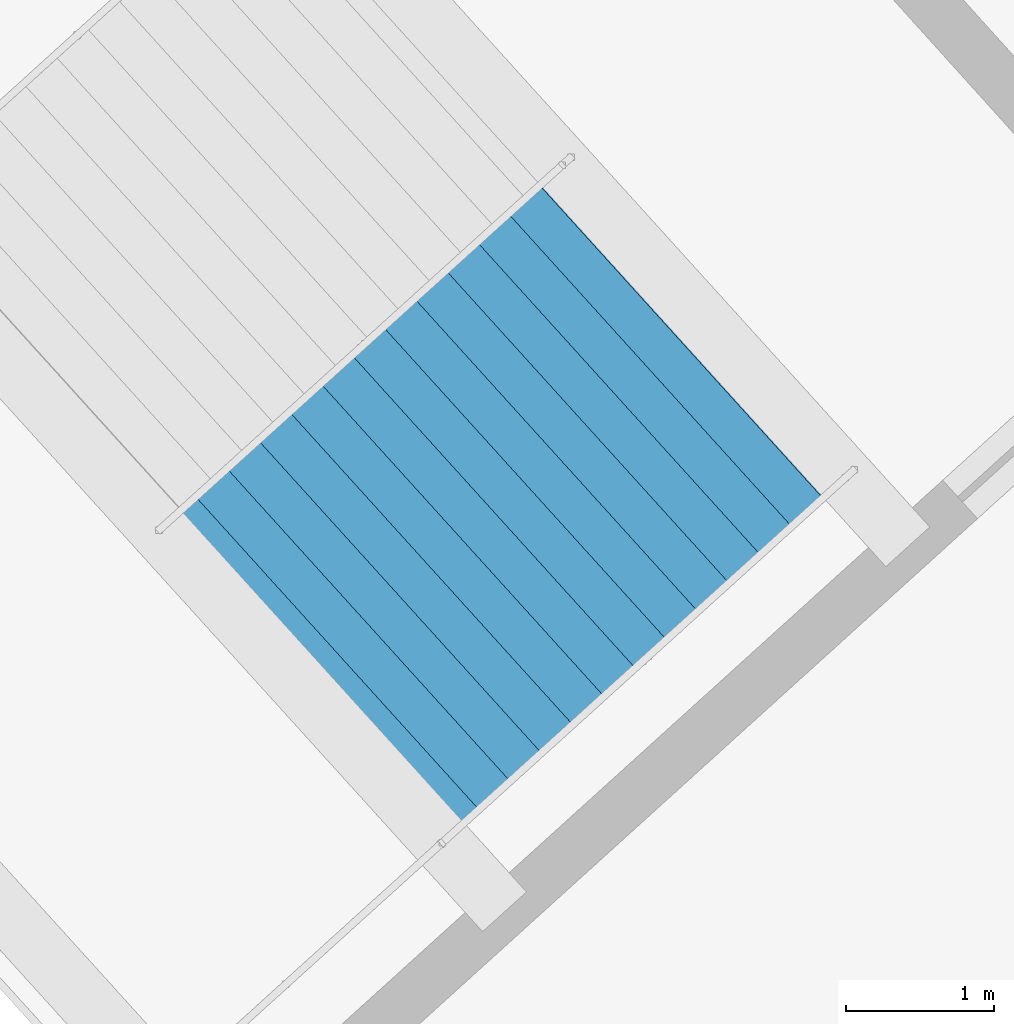
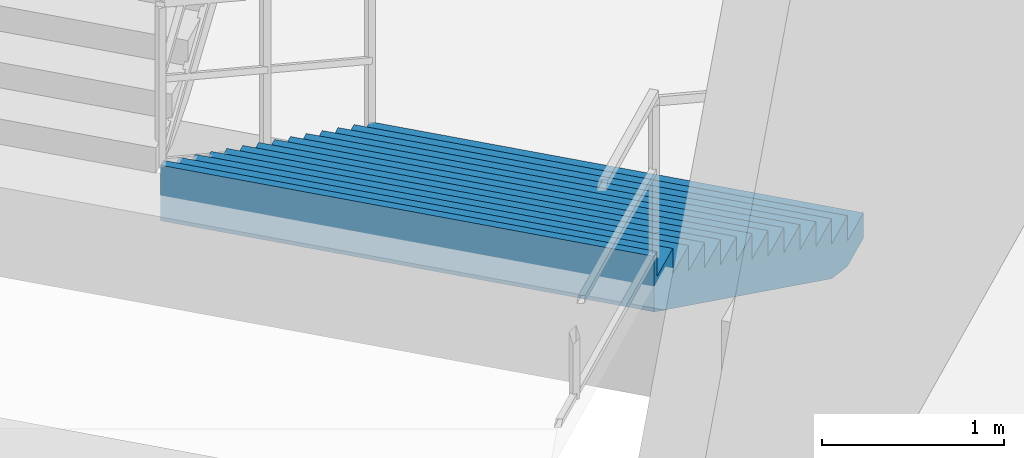
# One storey, part 134 of 156: 1 stair flight, 1 element without a shape of its own.
"""IFC4 building model written with IfcOpenShell, lengths in metres."""

from ifc_helpers import new_model, si_unit, direction, frame, origin, place, context, subcontext, project, spatial, polygons, material, type_object, element, aggregate, save


model = new_model("IFC4")

# Units and contexts
model_context = context("Model", 3, precision=1e-05, world=origin(), true_north=direction((0.0, 1.0)))
body_context = subcontext(model_context, "Body", "Model", "MODEL_VIEW")
ifc_project = project(units=[si_unit("LENGTHUNIT", "METRE"), si_unit("AREAUNIT", "SQUARE_METRE"), si_unit("VOLUMEUNIT", "CUBIC_METRE"), si_unit("PLANEANGLEUNIT", "RADIAN"), si_unit("MASSUNIT", "GRAM", prefix="KILO")], contexts=[model_context])

# Site, building, storey
site_placement = place(None, origin())
site = spatial("IfcSite", under=ifc_project, at=site_placement, CompositionType="ELEMENT")
building_placement = place(site_placement, origin())
building = spatial("IfcBuilding", under=site, at=building_placement, Name="Kazemori Nagisa Stadium", CompositionType="ELEMENT")
storey_placement = place(building_placement, frame((0.0, 0.0, 5.780029296875)))
storey = spatial("IfcBuildingStorey", under=building, at=storey_placement, Name="L01", CompositionType="ELEMENT", Elevation=5.780029296875)

# Stair, stair flight
ifc_material = material(Name="Concrete C36/45 (Fc36)", Category="concrete")
stair_type = type_object("IfcStairType", Name="Stair_CORE_28", PredefinedType="TWO_STRAIGHT_RUN_STAIR", material=ifc_material)
stair_placement = place(storey_placement, origin())
stair = element("IfcStair", 1, at=stair_placement, inside=storey, type_object=stair_type, Name="Exit stair ST02 L01", PredefinedType="TWO_STRAIGHT_RUN_STAIR")
stair_flight_type = type_object("IfcStairFlightType", Name="Flight_CORE_14", PredefinedType="STRAIGHT", material=ifc_material)
stair_flight_placement = place(storey_placement, frame((63.22412109375, 164.589599609375, 0.0), z_axis=(0.0, 0.0, 1.0), x_axis=(-0.741324991793, -0.671146225903, 0.0)))
stair_flight = element("IfcStairFlight", 2, at=stair_flight_placement, type_object=stair_flight_type, Name="Exit stair ST02 L01 flight 1", NumberOfRisers=14, NumberOfTreads=13, PredefinedType="STRAIGHT", RiserHeight=0.17, TreadLength=0.285, context=body_context, shape_type="Tessellation", body=[
    polygons([(0.0, -1.425048828125, 0.0), (0.0, -1.425048828125, 0.169921875), (0.284912109375, -1.425048828125, 0.169921875), (0.284912109375, -1.425048828125, 0.340087890625), (0.570068359375, -1.425048828125, 0.340087890625), (0.570068359375, -1.425048828125, 0.510009765625), (0.85498046875, -1.425048828125, 0.510009765625), (0.85498046875, -1.425048828125, 0.679931640625), (1.139892578125, -1.425048828125, 0.679931640625), (1.139892578125, -1.425048828125, 0.85009765625), (1.425048828125, -1.425048828125, 0.85009765625), (1.425048828125, -1.425048828125, 1.02001953125), (1.7099609375, -1.425048828125, 1.02001953125), (1.7099609375, -1.425048828125, 1.18994140625), (1.9951171875, -1.425048828125, 1.18994140625), (1.9951171875, -1.425048828125, 1.360107421875), (2.280029296875, -1.425048828125, 1.360107421875), (2.280029296875, -1.425048828125, 1.530029296875), (2.56494140625, -1.425048828125, 1.530029296875), (2.56494140625, -1.425048828125, 1.699951171875), (2.85009765625, -1.425048828125, 1.699951171875), (2.85009765625, -1.425048828125, 1.8701171875), (3.135009765625, -1.425048828125, 1.8701171875), (3.135009765625, -1.425048828125, 2.0400390625), (3.419921875, -1.425048828125, 2.0400390625), (3.419921875, -1.425048828125, 2.2099609375), (3.705078125, -1.425048828125, 2.2099609375), (3.705078125, -1.425048828125, 2.3798828125), (3.7548828125, -1.425048828125, 2.3798828125), (3.7548828125, -1.425048828125, 2.007080078125), (3.705078125, -1.425048828125, 1.977294921875), (3.419921875, -1.425048828125, 1.80712890625), (3.135009765625, -1.425048828125, 1.63720703125), (2.85009765625, -1.425048828125, 1.46728515625), (2.56494140625, -1.425048828125, 1.297119140625), (2.280029296875, -1.425048828125, 1.127197265625), (1.9951171875, -1.425048828125, 0.957275390625), (1.7099609375, -1.425048828125, 0.787109375), (1.425048828125, -1.425048828125, 0.6171875), (1.139892578125, -1.425048828125, 0.447265625), (0.85498046875, -1.425048828125, 0.277099609375), (0.570068359375, -1.425048828125, 0.107177734375), (0.284912109375, -1.425048828125, 0.0), (0.0, -0.08544921875, 0.0), (0.0, -0.08544921875, 0.169921875), (0.284912109375, -0.08544921875, 0.169921875), (0.284912109375, -0.08544921875, 0.340087890625), (0.570068359375, -0.08544921875, 0.340087890625), (0.570068359375, -0.08544921875, 0.510009765625), (0.85498046875, -0.08544921875, 0.510009765625), (0.85498046875, -0.08544921875, 0.679931640625), (1.139892578125, -0.08544921875, 0.679931640625), (1.139892578125, -0.08544921875, 0.85009765625), (1.425048828125, -0.08544921875, 0.85009765625), (1.425048828125, -0.08544921875, 1.02001953125), (1.7099609375, -0.08544921875, 1.02001953125), (1.7099609375, -0.08544921875, 1.18994140625), (1.9951171875, -0.08544921875, 1.18994140625), (1.9951171875, -0.08544921875, 1.360107421875), (2.280029296875, -0.08544921875, 1.360107421875), (2.280029296875, -0.08544921875, 1.530029296875), (2.56494140625, -0.08544921875, 1.530029296875), (2.56494140625, -0.08544921875, 1.699951171875), (2.85009765625, -0.08544921875, 1.699951171875), (2.85009765625, -0.08544921875, 1.8701171875), (3.135009765625, -0.08544921875, 1.8701171875), (3.135009765625, -0.08544921875, 2.0400390625), (3.419921875, -0.08544921875, 2.0400390625), (3.419921875, -0.08544921875, 2.2099609375), (3.705078125, -0.08544921875, 2.2099609375), (3.705078125, -0.08544921875, 2.3798828125), (3.7548828125, -0.08544921875, 2.3798828125), (3.7548828125, -0.08544921875, 2.007080078125), (3.705078125, -0.08544921875, 1.977294921875), (3.419921875, -0.08544921875, 1.80712890625), (3.135009765625, -0.08544921875, 1.63720703125), (2.85009765625, -0.08544921875, 1.46728515625), (2.56494140625, -0.08544921875, 1.297119140625), (2.280029296875, -0.08544921875, 1.127197265625), (1.9951171875, -0.08544921875, 0.957275390625), (1.7099609375, -0.08544921875, 0.787109375), (1.425048828125, -0.08544921875, 0.6171875), (1.139892578125, -0.08544921875, 0.447265625), (0.85498046875, -0.08544921875, 0.277099609375), (0.570068359375, -0.08544921875, 0.107177734375), (0.284912109375, -0.08544921875, 0.0), (0.0, 0.0, 0.0), (0.0, 0.0, 0.169921875), (0.284912109375, 0.0, 0.169921875), (0.284912109375, 0.0, 0.340087890625), (0.570068359375, 0.0, 0.340087890625), (0.570068359375, 0.0, 0.510009765625), (0.85498046875, 0.0, 0.510009765625), (0.85498046875, 0.0, 0.679931640625), (1.139892578125, 0.0, 0.679931640625), (1.139892578125, 0.0, 0.85009765625), (1.425048828125, 0.0, 0.85009765625), (1.425048828125, 0.0, 1.02001953125), (1.7099609375, 0.0, 1.02001953125), (1.7099609375, 0.0, 1.18994140625), (1.9951171875, 0.0, 1.18994140625), (1.9951171875, 0.0, 1.360107421875), (2.280029296875, 0.0, 1.360107421875), (2.280029296875, 0.0, 1.530029296875), (2.56494140625, 0.0, 1.530029296875), (2.56494140625, 0.0, 1.699951171875), (2.85009765625, 0.0, 1.699951171875), (2.85009765625, 0.0, 1.8701171875), (3.135009765625, 0.0, 1.8701171875), (3.135009765625, 0.0, 2.0400390625), (3.419921875, 0.0, 2.0400390625), (3.419921875, 0.0, 2.2099609375), (3.705078125, 0.0, 2.2099609375), (3.705078125, 0.0, 2.3798828125), (3.7548828125, 0.0, 2.3798828125), (3.7548828125, 0.0, 2.007080078125), (3.705078125, 0.0, 1.977294921875), (3.419921875, 0.0, 1.80712890625), (3.135009765625, 0.0, 1.63720703125), (2.85009765625, 0.0, 1.46728515625), (2.56494140625, 0.0, 1.297119140625), (2.280029296875, 0.0, 1.127197265625), (1.9951171875, 0.0, 0.957275390625), (1.7099609375, 0.0, 0.787109375), (1.425048828125, 0.0, 0.6171875), (1.139892578125, 0.0, 0.447265625), (0.85498046875, 0.0, 0.277099609375), (0.570068359375, 0.0, 0.107177734375), (0.284912109375, 0.0, 0.0), (0.0, 0.08544921875, 0.0), (0.0, 0.08544921875, 0.169921875), (0.284912109375, 0.08544921875, 0.169921875), (0.284912109375, 0.08544921875, 0.340087890625), (0.570068359375, 0.08544921875, 0.340087890625), (0.570068359375, 0.08544921875, 0.510009765625), (0.85498046875, 0.08544921875, 0.510009765625), (0.85498046875, 0.08544921875, 0.679931640625), (1.139892578125, 0.08544921875, 0.679931640625), (1.139892578125, 0.08544921875, 0.85009765625), (1.425048828125, 0.08544921875, 0.85009765625), (1.425048828125, 0.08544921875, 1.02001953125), (1.7099609375, 0.08544921875, 1.02001953125), (1.7099609375, 0.08544921875, 1.18994140625), (1.9951171875, 0.08544921875, 1.18994140625), (1.9951171875, 0.08544921875, 1.360107421875), (2.280029296875, 0.08544921875, 1.360107421875), (2.280029296875, 0.08544921875, 1.530029296875), (2.56494140625, 0.08544921875, 1.530029296875), (2.56494140625, 0.08544921875, 1.699951171875), (2.85009765625, 0.08544921875, 1.699951171875), (2.85009765625, 0.08544921875, 1.8701171875), (3.135009765625, 0.08544921875, 1.8701171875), (3.135009765625, 0.08544921875, 2.0400390625), (3.419921875, 0.08544921875, 2.0400390625), (3.419921875, 0.08544921875, 2.2099609375), (3.705078125, 0.08544921875, 2.2099609375), (3.705078125, 0.08544921875, 2.3798828125), (3.7548828125, 0.08544921875, 2.3798828125), (3.7548828125, 0.08544921875, 2.007080078125), (3.705078125, 0.08544921875, 1.977294921875), (3.419921875, 0.08544921875, 1.80712890625), (3.135009765625, 0.08544921875, 1.63720703125), (2.85009765625, 0.08544921875, 1.46728515625), (2.56494140625, 0.08544921875, 1.297119140625), (2.280029296875, 0.08544921875, 1.127197265625), (1.9951171875, 0.08544921875, 0.957275390625), (1.7099609375, 0.08544921875, 0.787109375), (1.425048828125, 0.08544921875, 0.6171875), (1.139892578125, 0.08544921875, 0.447265625), (0.85498046875, 0.08544921875, 0.277099609375), (0.570068359375, 0.08544921875, 0.107177734375), (0.284912109375, 0.08544921875, 0.0), (0.0, 1.425048828125, 0.0), (0.0, 1.425048828125, 0.169921875), (0.284912109375, 1.425048828125, 0.169921875), (0.284912109375, 1.425048828125, 0.340087890625), (0.570068359375, 1.425048828125, 0.340087890625), (0.570068359375, 1.425048828125, 0.510009765625), (0.85498046875, 1.425048828125, 0.510009765625), (0.85498046875, 1.425048828125, 0.679931640625), (1.139892578125, 1.425048828125, 0.679931640625), (1.139892578125, 1.425048828125, 0.85009765625), (1.425048828125, 1.425048828125, 0.85009765625), (1.425048828125, 1.425048828125, 1.02001953125), (1.7099609375, 1.425048828125, 1.02001953125), (1.7099609375, 1.425048828125, 1.18994140625), (1.9951171875, 1.425048828125, 1.18994140625), (1.9951171875, 1.425048828125, 1.360107421875), (2.280029296875, 1.425048828125, 1.360107421875), (2.280029296875, 1.425048828125, 1.530029296875), (2.56494140625, 1.425048828125, 1.530029296875), (2.56494140625, 1.425048828125, 1.699951171875), (2.85009765625, 1.425048828125, 1.699951171875), (2.85009765625, 1.425048828125, 1.8701171875), (3.135009765625, 1.425048828125, 1.8701171875), (3.135009765625, 1.425048828125, 2.0400390625), (3.419921875, 1.425048828125, 2.0400390625), (3.419921875, 1.425048828125, 2.2099609375), (3.705078125, 1.425048828125, 2.2099609375), (3.705078125, 1.425048828125, 2.3798828125), (3.7548828125, 1.425048828125, 2.3798828125), (3.7548828125, 1.425048828125, 2.007080078125), (3.705078125, 1.425048828125, 1.977294921875), (3.419921875, 1.425048828125, 1.80712890625), (3.135009765625, 1.425048828125, 1.63720703125), (2.85009765625, 1.425048828125, 1.46728515625), (2.56494140625, 1.425048828125, 1.297119140625), (2.280029296875, 1.425048828125, 1.127197265625), (1.9951171875, 1.425048828125, 0.957275390625), (1.7099609375, 1.425048828125, 0.787109375), (1.425048828125, 1.425048828125, 0.6171875), (1.139892578125, 1.425048828125, 0.447265625), (0.85498046875, 1.425048828125, 0.277099609375), (0.570068359375, 1.425048828125, 0.107177734375), (0.284912109375, 1.425048828125, 0.0)], [[[1, 2, 45]], [[1, 45, 44]], [[2, 3, 46]], [[2, 46, 45]], [[3, 4, 47]], [[3, 47, 46]], [[4, 5, 48]], [[4, 48, 47]], [[5, 6, 49]], [[5, 49, 48]], [[6, 7, 50]], [[6, 50, 49]], [[7, 8, 51]], [[7, 51, 50]], [[8, 9, 52]], [[8, 52, 51]], [[9, 10, 53]], [[9, 53, 52]], [[10, 11, 54]], [[10, 54, 53]], [[11, 12, 55]], [[11, 55, 54]], [[12, 13, 56]], [[12, 56, 55]], [[13, 14, 57]], [[13, 57, 56]], [[14, 15, 58]], [[14, 58, 57]], [[15, 16, 59]], [[15, 59, 58]], [[16, 17, 60]], [[16, 60, 59]], [[17, 18, 61]], [[17, 61, 60]], [[18, 19, 62]], [[18, 62, 61]], [[19, 20, 63]], [[19, 63, 62]], [[20, 21, 64]], [[20, 64, 63]], [[21, 22, 65]], [[21, 65, 64]], [[22, 23, 66]], [[22, 66, 65]], [[23, 24, 67]], [[23, 67, 66]], [[24, 25, 68]], [[24, 68, 67]], [[25, 26, 69]], [[25, 69, 68]], [[26, 27, 70]], [[26, 70, 69]], [[27, 28, 71]], [[27, 71, 70]], [[28, 29, 72]], [[28, 72, 71]], [[29, 30, 73]], [[29, 73, 72]], [[30, 31, 74]], [[30, 74, 73]], [[31, 32, 75]], [[31, 75, 74]], [[32, 33, 76]], [[32, 76, 75]], [[33, 34, 77]], [[33, 77, 76]], [[34, 35, 78]], [[34, 78, 77]], [[35, 36, 79]], [[35, 79, 78]], [[36, 37, 80]], [[36, 80, 79]], [[37, 38, 81]], [[37, 81, 80]], [[38, 39, 82]], [[38, 82, 81]], [[39, 40, 83]], [[39, 83, 82]], [[40, 41, 84]], [[40, 84, 83]], [[41, 42, 85]], [[41, 85, 84]], [[42, 43, 86]], [[42, 86, 85]], [[43, 1, 44]], [[43, 44, 86]], [[44, 45, 88]], [[44, 88, 87]], [[45, 46, 89]], [[45, 89, 88]], [[46, 47, 90]], [[46, 90, 89]], [[47, 48, 91]], [[47, 91, 90]], [[48, 49, 92]], [[48, 92, 91]], [[49, 50, 93]], [[49, 93, 92]], [[50, 51, 94]], [[50, 94, 93]], [[51, 52, 95]], [[51, 95, 94]], [[52, 53, 96]], [[52, 96, 95]], [[53, 54, 97]], [[53, 97, 96]], [[54, 55, 98]], [[54, 98, 97]], [[55, 56, 99]], [[55, 99, 98]], [[56, 57, 100]], [[56, 100, 99]], [[57, 58, 101]], [[57, 101, 100]], [[58, 59, 102]], [[58, 102, 101]], [[59, 60, 103]], [[59, 103, 102]], [[60, 61, 104]], [[60, 104, 103]], [[61, 62, 105]], [[61, 105, 104]], [[62, 63, 106]], [[62, 106, 105]], [[63, 64, 107]], [[63, 107, 106]], [[64, 65, 108]], [[64, 108, 107]], [[65, 66, 109]], [[65, 109, 108]], [[66, 67, 110]], [[66, 110, 109]], [[67, 68, 111]], [[67, 111, 110]], [[68, 69, 112]], [[68, 112, 111]], [[69, 70, 113]], [[69, 113, 112]], [[70, 71, 114]], [[70, 114, 113]], [[71, 72, 115]], [[71, 115, 114]], [[72, 73, 116]], [[72, 116, 115]], [[73, 74, 117]], [[73, 117, 116]], [[74, 75, 118]], [[74, 118, 117]], [[75, 76, 119]], [[75, 119, 118]], [[76, 77, 120]], [[76, 120, 119]], [[77, 78, 121]], [[77, 121, 120]], [[78, 79, 122]], [[78, 122, 121]], [[79, 80, 123]], [[79, 123, 122]], [[80, 81, 124]], [[80, 124, 123]], [[81, 82, 125]], [[81, 125, 124]], [[82, 83, 126]], [[82, 126, 125]], [[83, 84, 127]], [[83, 127, 126]], [[84, 85, 128]], [[84, 128, 127]], [[85, 86, 129]], [[85, 129, 128]], [[86, 44, 87]], [[86, 87, 129]], [[87, 88, 131]], [[87, 131, 130]], [[88, 89, 132]], [[88, 132, 131]], [[89, 90, 133]], [[89, 133, 132]], [[90, 91, 134]], [[90, 134, 133]], [[91, 92, 135]], [[91, 135, 134]], [[92, 93, 136]], [[92, 136, 135]], [[93, 94, 137]], [[93, 137, 136]], [[94, 95, 138]], [[94, 138, 137]], [[95, 96, 139]], [[95, 139, 138]], [[96, 97, 140]], [[96, 140, 139]], [[97, 98, 141]], [[97, 141, 140]], [[98, 99, 142]], [[98, 142, 141]], [[99, 100, 143]], [[99, 143, 142]], [[100, 101, 144]], [[100, 144, 143]], [[101, 102, 145]], [[101, 145, 144]], [[102, 103, 146]], [[102, 146, 145]], [[103, 104, 147]], [[103, 147, 146]], [[104, 105, 148]], [[104, 148, 147]], [[105, 106, 149]], [[105, 149, 148]], [[106, 107, 150]], [[106, 150, 149]], [[107, 108, 151]], [[107, 151, 150]], [[108, 109, 152]], [[108, 152, 151]], [[109, 110, 153]], [[109, 153, 152]], [[110, 111, 154]], [[110, 154, 153]], [[111, 112, 155]], [[111, 155, 154]], [[112, 113, 156]], [[112, 156, 155]], [[113, 114, 157]], [[113, 157, 156]], [[114, 115, 158]], [[114, 158, 157]], [[115, 116, 159]], [[115, 159, 158]], [[116, 117, 160]], [[116, 160, 159]], [[117, 118, 161]], [[117, 161, 160]], [[118, 119, 162]], [[118, 162, 161]], [[119, 120, 163]], [[119, 163, 162]], [[120, 121, 164]], [[120, 164, 163]], [[121, 122, 165]], [[121, 165, 164]], [[122, 123, 166]], [[122, 166, 165]], [[123, 124, 167]], [[123, 167, 166]], [[124, 125, 168]], [[124, 168, 167]], [[125, 126, 169]], [[125, 169, 168]], [[126, 127, 170]], [[126, 170, 169]], [[127, 128, 171]], [[127, 171, 170]], [[128, 129, 172]], [[128, 172, 171]], [[129, 87, 130]], [[129, 130, 172]], [[130, 131, 174]], [[130, 174, 173]], [[131, 132, 175]], [[131, 175, 174]], [[132, 133, 176]], [[132, 176, 175]], [[133, 134, 177]], [[133, 177, 176]], [[134, 135, 178]], [[134, 178, 177]], [[135, 136, 179]], [[135, 179, 178]], [[136, 137, 180]], [[136, 180, 179]], [[137, 138, 181]], [[137, 181, 180]], [[138, 139, 182]], [[138, 182, 181]], [[139, 140, 183]], [[139, 183, 182]], [[140, 141, 184]], [[140, 184, 183]], [[141, 142, 185]], [[141, 185, 184]], [[142, 143, 186]], [[142, 186, 185]], [[143, 144, 187]], [[143, 187, 186]], [[144, 145, 188]], [[144, 188, 187]], [[145, 146, 189]], [[145, 189, 188]], [[146, 147, 190]], [[146, 190, 189]], [[147, 148, 191]], [[147, 191, 190]], [[148, 149, 192]], [[148, 192, 191]], [[149, 150, 193]], [[149, 193, 192]], [[150, 151, 194]], [[150, 194, 193]], [[151, 152, 195]], [[151, 195, 194]], [[152, 153, 196]], [[152, 196, 195]], [[153, 154, 197]], [[153, 197, 196]], [[154, 155, 198]], [[154, 198, 197]], [[155, 156, 199]], [[155, 199, 198]], [[156, 157, 200]], [[156, 200, 199]], [[157, 158, 201]], [[157, 201, 200]], [[158, 159, 202]], [[158, 202, 201]], [[159, 160, 203]], [[159, 203, 202]], [[160, 161, 204]], [[160, 204, 203]], [[161, 162, 205]], [[161, 205, 204]], [[162, 163, 206]], [[162, 206, 205]], [[163, 164, 207]], [[163, 207, 206]], [[164, 165, 208]], [[164, 208, 207]], [[165, 166, 209]], [[165, 209, 208]], [[166, 167, 210]], [[166, 210, 209]], [[167, 168, 211]], [[167, 211, 210]], [[168, 169, 212]], [[168, 212, 211]], [[169, 170, 213]], [[169, 213, 212]], [[170, 171, 214]], [[170, 214, 213]], [[171, 172, 215]], [[171, 215, 214]], [[172, 130, 173]], [[172, 173, 215]], [[3, 2, 1]], [[173, 174, 175]], [[43, 3, 1]], [[173, 175, 215]], [[42, 3, 43]], [[215, 175, 214]], [[5, 3, 42]], [[214, 175, 177]], [[5, 4, 3]], [[175, 176, 177]], [[41, 5, 42]], [[214, 177, 213]], [[7, 5, 41]], [[213, 177, 179]], [[7, 6, 5]], [[177, 178, 179]], [[40, 7, 41]], [[213, 179, 212]], [[9, 7, 40]], [[212, 179, 181]], [[9, 8, 7]], [[179, 180, 181]], [[39, 9, 40]], [[212, 181, 211]], [[11, 9, 39]], [[211, 181, 183]], [[11, 10, 9]], [[181, 182, 183]], [[38, 11, 39]], [[211, 183, 210]], [[13, 11, 38]], [[210, 183, 185]], [[13, 12, 11]], [[183, 184, 185]], [[37, 13, 38]], [[210, 185, 209]], [[15, 13, 37]], [[209, 185, 187]], [[15, 14, 13]], [[185, 186, 187]], [[36, 15, 37]], [[209, 187, 208]], [[17, 15, 36]], [[208, 187, 189]], [[17, 16, 15]], [[187, 188, 189]], [[35, 17, 36]], [[208, 189, 207]], [[19, 17, 35]], [[207, 189, 191]], [[19, 18, 17]], [[189, 190, 191]], [[34, 19, 35]], [[207, 191, 206]], [[21, 19, 34]], [[206, 191, 193]], [[21, 20, 19]], [[191, 192, 193]], [[33, 21, 34]], [[206, 193, 205]], [[23, 21, 33]], [[205, 193, 195]], [[23, 22, 21]], [[193, 194, 195]], [[32, 23, 33]], [[205, 195, 204]], [[25, 23, 32]], [[204, 195, 197]], [[25, 24, 23]], [[195, 196, 197]], [[31, 25, 32]], [[204, 197, 203]], [[27, 25, 31]], [[203, 197, 199]], [[27, 26, 25]], [[197, 198, 199]], [[30, 27, 31]], [[203, 199, 202]], [[29, 27, 30]], [[202, 199, 201]], [[29, 28, 27]], [[199, 200, 201]]], closed=True),
])
aggregate(stair, [stair_flight])

save(model, "model.ifc")
